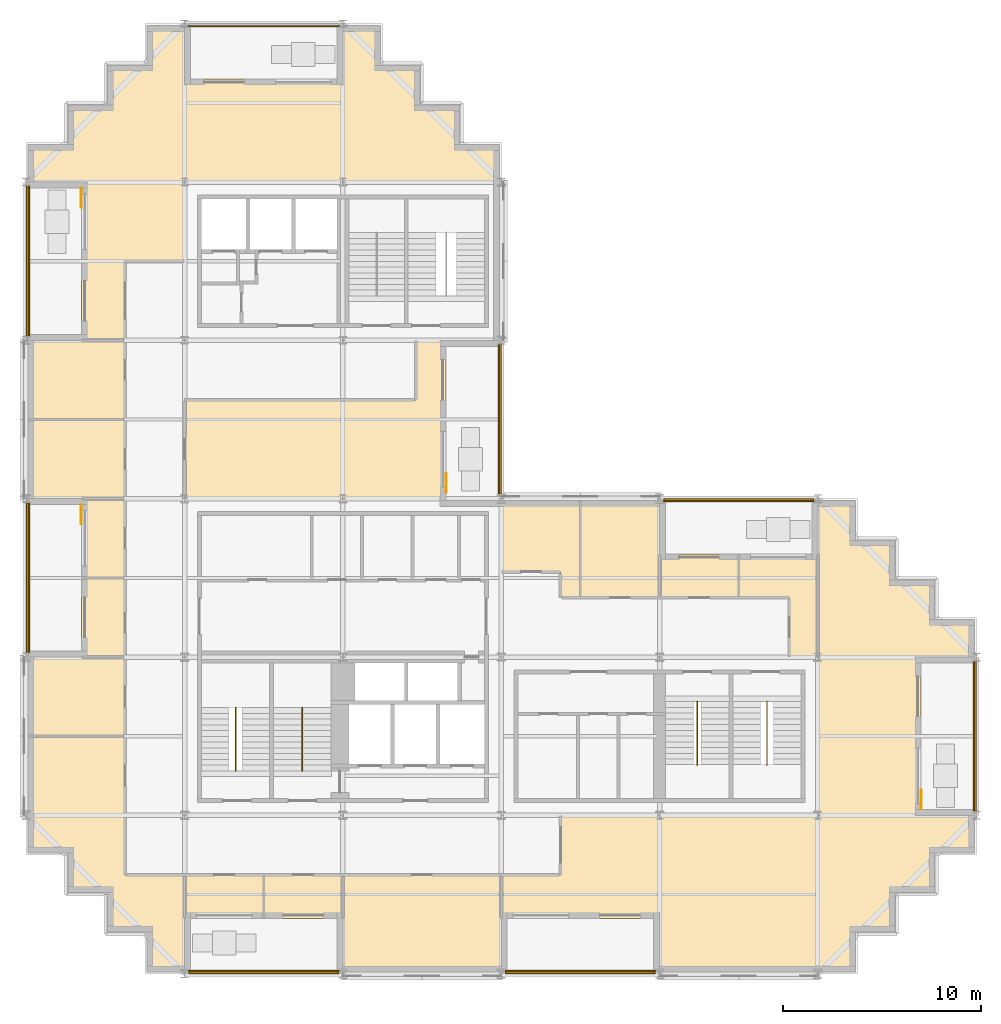
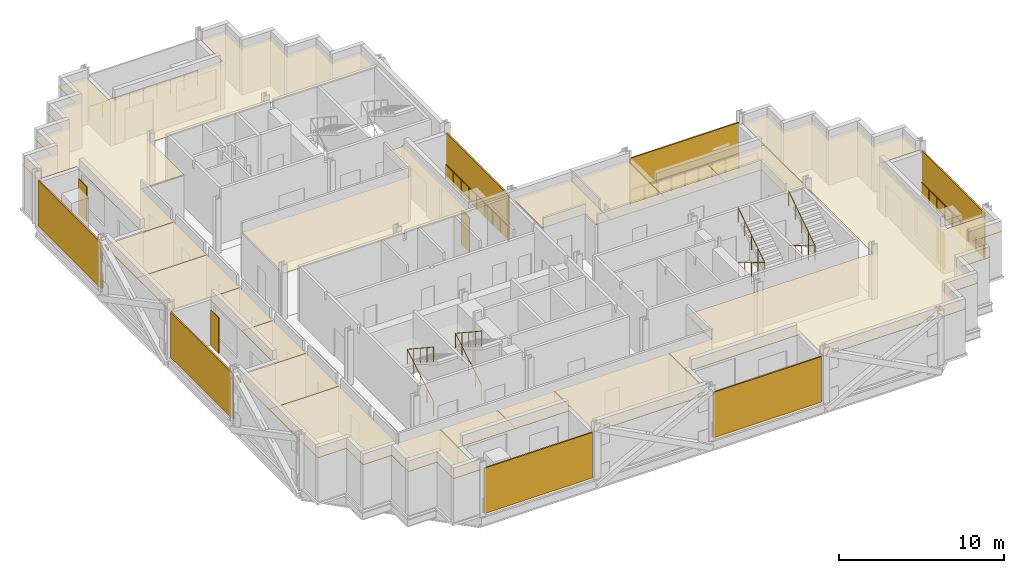
# One storey, part 10 of 12: 16 coverings, 12 railings, 11 shading devices.
"""IFC4 building model written with IfcOpenShell, lengths in metres."""

import ifcopenshell
import ifcopenshell.guid

model = None  # the IFC model being written
_history = None  # IfcOwnerHistory: only IFC2X3 demands one
_inside = {}  # id of a spatial element -> (the spatial element, [elements in it])
_under = {}  # id of a project, library or spatial element -> (it, [spatial elements below it])
_declared = {}  # id of a project -> (the project, [libraries it declares])
_typed = {}  # id of a type object -> (the type object, [elements of that type])
_made_of = {}  # id of a material, layer set ... -> (it, [elements and type objects made of it])


def new_model(schema):
    """Start an empty IFC model of exactly this schema.

    Asked for "IFC4X3", IfcOpenShell would pick the latest addendum, in which some entities
    have other attributes; the version numbers below select the first issue.
    IFC2X3 requires an IfcOwnerHistory on every rooted entity: one is made here for all.
    """
    global model, _history
    if schema == "IFC4X3":
        model = ifcopenshell.file(schema_version=(4, 3, 0, 0))
    else:
        model = ifcopenshell.file(schema=schema)
    _inside.clear()
    _under.clear()
    _declared.clear()
    _typed.clear()
    _made_of.clear()
    _history = None
    if model.schema == "IFC2X3":
        org = make("IfcOrganization", Name="unknown")
        user = make(
            "IfcPersonAndOrganization",
            ThePerson=make("IfcPerson", FamilyName="unknown"),
            TheOrganization=org,
        )
        app = make(
            "IfcApplication",
            ApplicationDeveloper=org,
            Version="unknown",
            ApplicationFullName="unknown",
            ApplicationIdentifier="unknown",
        )
        _history = make(
            "IfcOwnerHistory",
            OwningUser=user,
            OwningApplication=app,
            ChangeAction="ADDED",
            CreationDate=0,
        )
    return model


def make(cls, **values):
    """One entity of the class cls with the attributes given. An attribute that is None is left unset."""
    return model.create_entity(
        cls, **{name: value for name, value in values.items() if value is not None}
    )


def rooted(cls, **values):
    """An entity with a GlobalId (a new one), such as an element, a storey or a relation."""
    return make(cls, GlobalId=ifcopenshell.guid.new(), OwnerHistory=_history, **values)


def si_unit(unit_type, name, prefix=None):
    """IfcSIUnit, for example si_unit("LENGTHUNIT", "METRE", prefix="MILLI")."""
    return make("IfcSIUnit", UnitType=unit_type, Prefix=prefix, Name=name)


def assignment(units):
    """IfcUnitAssignment: the units of a project."""
    return None if units is None else make("IfcUnitAssignment", Units=units)


def point(xyz):
    """IfcCartesianPoint."""
    return None if xyz is None else make("IfcCartesianPoint", Coordinates=xyz)


def direction(xyz):
    """IfcDirection."""
    return None if xyz is None else make("IfcDirection", DirectionRatios=xyz)


def frame(location, z_axis=None, x_axis=None):
    """IfcAxis2Placement3D, a coordinate frame: its origin and axes. An axis left out is left unset."""
    return make(
        "IfcAxis2Placement3D",
        Location=point(location),
        Axis=direction(z_axis),
        RefDirection=direction(x_axis),
    )


def frame_2d(location, x_axis=None):
    """IfcAxis2Placement2D, a coordinate frame in the plane: its origin and x axis."""
    return make(
        "IfcAxis2Placement2D", Location=point(location), RefDirection=direction(x_axis)
    )


def origin():
    """The frame at (0, 0, 0) with its axes left unset."""
    return frame((0.0, 0.0, 0.0))


def origin_2d():
    """The frame at (0, 0) in the plane with its x axis left unset."""
    return frame_2d((0.0, 0.0))


def place(relative_to, where):
    """IfcLocalPlacement: puts the frame where relative to a parent placement (None: the world)."""
    return make(
        "IfcLocalPlacement", PlacementRelTo=relative_to, RelativePlacement=where
    )


def context(
    kind, dimensions, precision=None, world=None, true_north=None, identifier=None
):
    """IfcGeometricRepresentationContext, for example the 3D "Model" context."""
    return make(
        "IfcGeometricRepresentationContext",
        ContextIdentifier=identifier,
        ContextType=kind,
        CoordinateSpaceDimension=dimensions,
        Precision=precision,
        WorldCoordinateSystem=world,
        TrueNorth=true_north,
    )


def subcontext(parent, identifier, kind, view, scale=None):
    """IfcGeometricRepresentationSubContext, for example "Body" below "Model"."""
    return make(
        "IfcGeometricRepresentationSubContext",
        ContextIdentifier=identifier,
        ContextType=kind,
        ParentContext=parent,
        TargetScale=scale,
        TargetView=view,
    )


def project(units=None, contexts=None):
    """IfcProject with its units and contexts."""
    return rooted(
        "IfcProject",
        Name="project",
        RepresentationContexts=contexts,
        UnitsInContext=assignment(units),
    )


def spatial(cls, under=None, at=None, **own):
    """A site, building, storey or space (cls), placed at a placement, below another one or the project."""
    s = rooted(cls, ObjectPlacement=at, **own)
    if under is not None:
        _under.setdefault(under.id(), (under, []))[1].append(s)
    return s


def polyline(points):
    """IfcPolyline through the points."""
    return make("IfcPolyline", Points=[point(p) for p in points])


def profile(cls, at=None, kind="AREA", **sizes):
    """A parametric profile (cls). Its sizes go by their IFC names, for example OverallWidth=200.0."""
    return make(cls, ProfileType=kind, Position=at, **sizes)


def rectangle(**sizes):
    """IfcRectangleProfileDef."""
    return profile("IfcRectangleProfileDef", **sizes)


def circle(**sizes):
    """IfcCircleProfileDef."""
    return profile("IfcCircleProfileDef", **sizes)


def outline(outer, holes=None, kind="AREA"):
    """IfcArbitraryClosedProfileDef: a profile drawn as a closed curve; with holes, ...WithVoids."""
    if holes is None:
        return make("IfcArbitraryClosedProfileDef", ProfileType=kind, OuterCurve=outer)
    return make(
        "IfcArbitraryProfileDefWithVoids",
        ProfileType=kind,
        OuterCurve=outer,
        InnerCurves=holes,
    )


def extrude(swept, where, along, depth):
    """IfcExtrudedAreaSolid: the profile swept, set in the frame where, extruded along a direction by depth."""
    return make(
        "IfcExtrudedAreaSolid",
        SweptArea=swept,
        Position=where,
        ExtrudedDirection=direction(along),
        Depth=depth,
    )


def shape(context_of_items, identifier, shape_type, items):
    """IfcShapeRepresentation: the items that make up one representation, for example the "Body"."""
    return make(
        "IfcShapeRepresentation",
        ContextOfItems=context_of_items,
        RepresentationIdentifier=identifier,
        RepresentationType=shape_type,
        Items=items,
    )


def material(Name=None, Category=None):
    """IfcMaterial."""
    return make("IfcMaterial", Name=Name, Category=Category)


def layer(
    of_material, thickness, ventilated=None, Name=None, Category=None, Priority=None
):
    """IfcMaterialLayer: one layer of a wall or slab, of a material (None: an air gap)."""
    return make(
        "IfcMaterialLayer",
        Material=of_material,
        LayerThickness=thickness,
        IsVentilated=ventilated,
        Name=Name,
        Category=Category,
        Priority=Priority,
    )


def layer_set(layers, Name=None):
    """IfcMaterialLayerSet."""
    return make("IfcMaterialLayerSet", MaterialLayers=layers, LayerSetName=Name)


def made_of(thing, what):
    """Note that an element or type object is made of a material, layer set ...; save() writes the relation."""
    if what is not None:
        _made_of.setdefault(what.id(), (what, []))[1].append(thing)
    return thing


def type_object(cls, material=None, **own):
    """A type object (cls), such as IfcWallType, which elements share."""
    return made_of(rooted(cls, **own), material)


def element(
    cls,
    number,
    at=None,
    inside=None,
    cuts=None,
    type_object=None,
    material=None,
    context=None,
    identifier="Body",
    shape_type=None,
    held_by="IfcProductDefinitionShape",
    body=None,
    shapes=None,
    **own,
):
    """One element of the class cls, such as IfcWall. Its Tag is "e" and its number.

    at: its placement. inside: the storey or other place that contains it. cuts: it is an
    opening in that element (IfcRelVoidsElement). A single representation is given by context,
    identifier, shape_type and body (its items); several are given by shapes. held_by: the class
    of the entity that holds the representations. save() writes the other relations.
    """
    e = rooted(cls, Tag="e%d" % number, ObjectPlacement=at, **own)
    if body is not None:
        shapes = [shape(context, identifier, shape_type, body)]
    if shapes is not None:
        e.Representation = make(held_by, Representations=shapes)
    if inside is not None:
        _inside.setdefault(inside.id(), (inside, []))[1].append(e)
    if cuts is not None:
        rooted(
            "IfcRelVoidsElement", RelatingBuildingElement=cuts, RelatedOpeningElement=e
        )
    if type_object is not None:
        _typed.setdefault(type_object.id(), (type_object, []))[1].append(e)
    return made_of(e, material)


def aggregate(whole, parts):
    """IfcRelAggregates: a whole, such as a stair, and the parts it consists of."""
    return rooted("IfcRelAggregates", RelatingObject=whole, RelatedObjects=parts)


def save(model, path):
    """Write the relations noted so far, then the file.

    IfcRelAggregates (storeys below a building ...), IfcRelContainedInSpatialStructure (elements
    in a storey), IfcRelDefinesByType, IfcRelAssociatesMaterial and IfcRelDeclares: one each for
    every whole, place, type object, material and project.
    """
    for whole, parts in _under.values():
        aggregate(whole, parts)
    for where, things in _inside.values():
        rooted(
            "IfcRelContainedInSpatialStructure",
            RelatedElements=things,
            RelatingStructure=where,
        )
    for kind, things in _typed.values():
        rooted("IfcRelDefinesByType", RelatedObjects=things, RelatingType=kind)
    for what, things in _made_of.values():
        rooted("IfcRelAssociatesMaterial", RelatedObjects=things, RelatingMaterial=what)
    for by, libraries in _declared.values():
        rooted("IfcRelDeclares", RelatingContext=by, RelatedDefinitions=libraries)
    model.write(path)


model = new_model("IFC4")

# Units and contexts
model_context = context("Model", 3, precision=1e-05, world=origin(), true_north=direction((0.0, 1.0)))
body_context = subcontext(model_context, "Body", "Model", "MODEL_VIEW")
ifc_project = project(units=[si_unit("LENGTHUNIT", "METRE"), si_unit("AREAUNIT", "SQUARE_METRE"), si_unit("VOLUMEUNIT", "CUBIC_METRE"), si_unit("PLANEANGLEUNIT", "RADIAN"), si_unit("MASSUNIT", "GRAM", prefix="KILO")], contexts=[model_context])

# Site, building, storey
site_placement = place(None, origin())
site = spatial("IfcSite", under=ifc_project, at=site_placement, CompositionType="ELEMENT")
building_placement = place(site_placement, origin())
building = spatial("IfcBuilding", under=site, at=building_placement, Name="Immortelle Media Tower", CompositionType="ELEMENT")
storey_placement = place(building_placement, frame((0.0, 0.0, 132.60009765625)))
storey = spatial("IfcBuildingStorey", under=building, at=storey_placement, Name="L26", CompositionType="ELEMENT", Elevation=132.60009765625)

# Railings
ifc_material_1 = material(Name="Powder-coated aluminium fretwork panel, laminated glass backing", Category="aluminium")
railing_type_1 = type_object("IfcRailingType", Name="Fretwork balustrade 1100", PredefinedType="BALUSTRADE", material=ifc_material_1)
railing_1_placement = place(storey_placement, frame((8.20556640625, 0.139892578125, 0.0)))
element("IfcRailing", 1, at=railing_1_placement, inside=storey, type_object=railing_type_1, Name="Fretwork balustrade L26 S0", PredefinedType="BALUSTRADE", context=body_context, shape_type="SweptSolid", body=[
    extrude(circle(Radius=0.02490234375, at=origin_2d()), frame((0.0, 0.0, 1.0751953125), z_axis=(1.0, 0.0, 0.0), x_axis=(0.0, 1.0, 0.0)), (0.0, 0.0, 1.0), 7.58251953125),
    extrude(circle(Radius=0.02001953125, at=origin_2d()), origin(), (0.0, 0.0, 1.0), 1.050048828125),
    extrude(circle(Radius=0.02001953125, at=origin_2d()), frame((0.94775390625, 0.0, 0.0)), (0.0, 0.0, 1.0), 1.050048828125),
    extrude(circle(Radius=0.02001953125, at=origin_2d()), frame((1.8955078125, 0.0, 0.0)), (0.0, 0.0, 1.0), 1.050048828125),
    extrude(circle(Radius=0.02001953125, at=origin_2d()), frame((2.843505859375, 0.0, 0.0)), (0.0, 0.0, 1.0), 1.050048828125),
    extrude(circle(Radius=0.02001953125, at=origin_2d()), frame((3.791259765625, 0.0, 0.0)), (0.0, 0.0, 1.0), 1.050048828125),
    extrude(circle(Radius=0.02001953125, at=origin_2d()), frame((4.739013671875, 0.0, 0.0)), (0.0, 0.0, 1.0), 1.050048828125),
    extrude(circle(Radius=0.02001953125, at=origin_2d()), frame((5.68701171875, 0.0, 0.0)), (0.0, 0.0, 1.0), 1.050048828125),
    extrude(circle(Radius=0.02001953125, at=origin_2d()), frame((6.634765625, 0.0, 0.0)), (0.0, 0.0, 1.0), 1.050048828125),
    extrude(circle(Radius=0.02001953125, at=origin_2d()), frame((7.58251953125, 0.0, 0.0)), (0.0, 0.0, 1.0), 1.050048828125),
])
railing_2_placement = place(storey_placement, frame((24.2119140625, 0.139892578125, 0.0)))
element("IfcRailing", 2, at=railing_2_placement, inside=storey, type_object=railing_type_1, Name="Fretwork balustrade L26 S2", PredefinedType="BALUSTRADE", context=body_context, shape_type="SweptSolid", body=[
    extrude(circle(Radius=0.02490234375, at=origin_2d()), frame((0.0, 0.0, 1.0751953125), z_axis=(1.0, 0.0, 0.0), x_axis=(0.0, 1.0, 0.0)), (0.0, 0.0, 1.0), 7.576171875),
    extrude(circle(Radius=0.02001953125, at=origin_2d()), origin(), (0.0, 0.0, 1.0), 1.050048828125),
    extrude(circle(Radius=0.02001953125, at=origin_2d()), frame((0.947021484375, 0.0, 0.0)), (0.0, 0.0, 1.0), 1.050048828125),
    extrude(circle(Radius=0.02001953125, at=origin_2d()), frame((1.89404296875, 0.0, 0.0)), (0.0, 0.0, 1.0), 1.050048828125),
    extrude(circle(Radius=0.02001953125, at=origin_2d()), frame((2.841064453125, 0.0, 0.0)), (0.0, 0.0, 1.0), 1.050048828125),
    extrude(circle(Radius=0.02001953125, at=origin_2d()), frame((3.7880859375, 0.0, 0.0)), (0.0, 0.0, 1.0), 1.050048828125),
    extrude(circle(Radius=0.02001953125, at=origin_2d()), frame((4.735107421875, 0.0, 0.0)), (0.0, 0.0, 1.0), 1.050048828125),
    extrude(circle(Radius=0.02001953125, at=origin_2d()), frame((5.68212890625, 0.0, 0.0)), (0.0, 0.0, 1.0), 1.050048828125),
    extrude(circle(Radius=0.02001953125, at=origin_2d()), frame((6.629150390625, 0.0, 0.0)), (0.0, 0.0, 1.0), 1.050048828125),
    extrude(circle(Radius=0.02001953125, at=origin_2d()), frame((7.576171875, 0.0, 0.0)), (0.0, 0.0, 1.0), 1.050048828125),
])
railing_3_placement = place(storey_placement, frame((47.860107421875, 8.217041015625, 0.0)))
element("IfcRailing", 3, at=railing_3_placement, inside=storey, type_object=railing_type_1, Name="Fretwork balustrade L26 E0", PredefinedType="BALUSTRADE", context=body_context, shape_type="SweptSolid", body=[
    extrude(circle(Radius=0.02490234375, at=origin_2d()), frame((0.0, 0.0, 1.0751953125), z_axis=(0.0, 1.0, 0.0), x_axis=(-1.0, 0.0, 0.0)), (0.0, 0.0, 1.0), 7.56591796875),
    extrude(circle(Radius=0.02001953125, at=origin_2d()), origin(), (0.0, 0.0, 1.0), 1.050048828125),
    extrude(circle(Radius=0.02001953125, at=origin_2d()), frame((0.0, 0.94580078125, 0.0)), (0.0, 0.0, 1.0), 1.050048828125),
    extrude(circle(Radius=0.02001953125, at=origin_2d()), frame((0.0, 1.8916015625, 0.0)), (0.0, 0.0, 1.0), 1.050048828125),
    extrude(circle(Radius=0.02001953125, at=origin_2d()), frame((0.0, 2.837158203125, 0.0)), (0.0, 0.0, 1.0), 1.050048828125),
    extrude(circle(Radius=0.02001953125, at=origin_2d()), frame((0.0, 3.782958984375, 0.0)), (0.0, 0.0, 1.0), 1.050048828125),
    extrude(circle(Radius=0.02001953125, at=origin_2d()), frame((0.0, 4.728759765625, 0.0)), (0.0, 0.0, 1.0), 1.050048828125),
    extrude(circle(Radius=0.02001953125, at=origin_2d()), frame((0.0, 5.67431640625, 0.0)), (0.0, 0.0, 1.0), 1.050048828125),
    extrude(circle(Radius=0.02001953125, at=origin_2d()), frame((0.0, 6.6201171875, 0.0)), (0.0, 0.0, 1.0), 1.050048828125),
    extrude(circle(Radius=0.02001953125, at=origin_2d()), frame((0.0, 7.56591796875, 0.0)), (0.0, 0.0, 1.0), 1.050048828125),
])
railing_4_placement = place(storey_placement, frame((39.79443359375, 23.860107421875, 0.0)))
element("IfcRailing", 4, at=railing_4_placement, inside=storey, type_object=railing_type_1, Name="Fretwork balustrade L26 N0", PredefinedType="BALUSTRADE", context=body_context, shape_type="SweptSolid", body=[
    extrude(circle(Radius=0.02490234375, at=origin_2d()), frame((0.0, 0.0, 1.0751953125), z_axis=(-1.0, 0.0, 0.0), x_axis=(0.0, -1.0, 0.0)), (0.0, 0.0, 1.0), 7.58251953125),
    extrude(circle(Radius=0.02001953125, at=origin_2d()), origin(), (0.0, 0.0, 1.0), 1.050048828125),
    extrude(circle(Radius=0.02001953125, at=origin_2d()), frame((-0.94775390625, 0.0, 0.0)), (0.0, 0.0, 1.0), 1.050048828125),
    extrude(circle(Radius=0.02001953125, at=origin_2d()), frame((-1.8955078125, 0.0, 0.0)), (0.0, 0.0, 1.0), 1.050048828125),
    extrude(circle(Radius=0.02001953125, at=origin_2d()), frame((-2.843505859375, 0.0, 0.0)), (0.0, 0.0, 1.0), 1.050048828125),
    extrude(circle(Radius=0.02001953125, at=origin_2d()), frame((-3.791259765625, 0.0, 0.0)), (0.0, 0.0, 1.0), 1.050048828125),
    extrude(circle(Radius=0.02001953125, at=origin_2d()), frame((-4.739013671875, 0.0, 0.0)), (0.0, 0.0, 1.0), 1.050048828125),
    extrude(circle(Radius=0.02001953125, at=origin_2d()), frame((-5.68701171875, 0.0, 0.0)), (0.0, 0.0, 1.0), 1.050048828125),
    extrude(circle(Radius=0.02001953125, at=origin_2d()), frame((-6.634765625, 0.0, 0.0)), (0.0, 0.0, 1.0), 1.050048828125),
    extrude(circle(Radius=0.02001953125, at=origin_2d()), frame((-7.58251953125, 0.0, 0.0)), (0.0, 0.0, 1.0), 1.050048828125),
])
railing_5_placement = place(storey_placement, frame((23.860107421875, 24.237548828125, 0.0)))
element("IfcRailing", 5, at=railing_5_placement, inside=storey, type_object=railing_type_1, Name="Fretwork balustrade L26 E0", PredefinedType="BALUSTRADE", context=body_context, shape_type="SweptSolid", body=[
    extrude(circle(Radius=0.02490234375, at=origin_2d()), frame((0.0, 0.0, 1.0751953125), z_axis=(0.0, 1.0, 0.0), x_axis=(-1.0, 0.0, 0.0)), (0.0, 0.0, 1.0), 7.56298828125),
    extrude(circle(Radius=0.02001953125, at=origin_2d()), origin(), (0.0, 0.0, 1.0), 1.050048828125),
    extrude(circle(Radius=0.02001953125, at=origin_2d()), frame((0.0, 0.9453125, 0.0)), (0.0, 0.0, 1.0), 1.050048828125),
    extrude(circle(Radius=0.02001953125, at=origin_2d()), frame((0.0, 1.890625, 0.0)), (0.0, 0.0, 1.0), 1.050048828125),
    extrude(circle(Radius=0.02001953125, at=origin_2d()), frame((0.0, 2.836181640625, 0.0)), (0.0, 0.0, 1.0), 1.050048828125),
    extrude(circle(Radius=0.02001953125, at=origin_2d()), frame((0.0, 3.781494140625, 0.0)), (0.0, 0.0, 1.0), 1.050048828125),
    extrude(circle(Radius=0.02001953125, at=origin_2d()), frame((0.0, 4.726806640625, 0.0)), (0.0, 0.0, 1.0), 1.050048828125),
    extrude(circle(Radius=0.02001953125, at=origin_2d()), frame((0.0, 5.67236328125, 0.0)), (0.0, 0.0, 1.0), 1.050048828125),
    extrude(circle(Radius=0.02001953125, at=origin_2d()), frame((0.0, 6.61767578125, 0.0)), (0.0, 0.0, 1.0), 1.050048828125),
    extrude(circle(Radius=0.02001953125, at=origin_2d()), frame((0.0, 7.56298828125, 0.0)), (0.0, 0.0, 1.0), 1.050048828125),
])
railing_6_placement = place(storey_placement, frame((15.802978515625, 47.860107421875, 0.0)))
element("IfcRailing", 6, at=railing_6_placement, inside=storey, type_object=railing_type_1, Name="Fretwork balustrade L26 N0", PredefinedType="BALUSTRADE", context=body_context, shape_type="SweptSolid", body=[
    extrude(circle(Radius=0.02490234375, at=origin_2d()), frame((0.0, 0.0, 1.0751953125), z_axis=(-1.0, 0.0, 0.0), x_axis=(0.0, -1.0, 0.0)), (0.0, 0.0, 1.0), 7.60595703125),
    extrude(circle(Radius=0.02001953125, at=origin_2d()), origin(), (0.0, 0.0, 1.0), 1.050048828125),
    extrude(circle(Radius=0.02001953125, at=origin_2d()), frame((-0.95068359375, 0.0, 0.0)), (0.0, 0.0, 1.0), 1.050048828125),
    extrude(circle(Radius=0.02001953125, at=origin_2d()), frame((-1.9013671875, 0.0, 0.0)), (0.0, 0.0, 1.0), 1.050048828125),
    extrude(circle(Radius=0.02001953125, at=origin_2d()), frame((-2.852294921875, 0.0, 0.0)), (0.0, 0.0, 1.0), 1.050048828125),
    extrude(circle(Radius=0.02001953125, at=origin_2d()), frame((-3.802978515625, 0.0, 0.0)), (0.0, 0.0, 1.0), 1.050048828125),
    extrude(circle(Radius=0.02001953125, at=origin_2d()), frame((-4.753662109375, 0.0, 0.0)), (0.0, 0.0, 1.0), 1.050048828125),
    extrude(circle(Radius=0.02001953125, at=origin_2d()), frame((-5.70458984375, 0.0, 0.0)), (0.0, 0.0, 1.0), 1.050048828125),
    extrude(circle(Radius=0.02001953125, at=origin_2d()), frame((-6.6552734375, 0.0, 0.0)), (0.0, 0.0, 1.0), 1.050048828125),
    extrude(circle(Radius=0.02001953125, at=origin_2d()), frame((-7.60595703125, 0.0, 0.0)), (0.0, 0.0, 1.0), 1.050048828125),
])
railing_7_placement = place(storey_placement, frame((0.139892578125, 39.81201171875, 0.0)))
element("IfcRailing", 7, at=railing_7_placement, inside=storey, type_object=railing_type_1, Name="Fretwork balustrade L26 W0", PredefinedType="BALUSTRADE", context=body_context, shape_type="SweptSolid", body=[
    extrude(circle(Radius=0.02490234375, at=origin_2d()), frame((0.0, 0.0, 1.0751953125), z_axis=(0.0, -1.0, 0.0), x_axis=(1.0, 0.0, 0.0)), (0.0, 0.0, 1.0), 7.612548828125),
    extrude(circle(Radius=0.02001953125, at=origin_2d()), origin(), (0.0, 0.0, 1.0), 1.050048828125),
    extrude(circle(Radius=0.02001953125, at=origin_2d()), frame((0.0, -0.95166015625, 0.0)), (0.0, 0.0, 1.0), 1.050048828125),
    extrude(circle(Radius=0.02001953125, at=origin_2d()), frame((0.0, -1.903076171875, 0.0)), (0.0, 0.0, 1.0), 1.050048828125),
    extrude(circle(Radius=0.02001953125, at=origin_2d()), frame((0.0, -2.854736328125, 0.0)), (0.0, 0.0, 1.0), 1.050048828125),
    extrude(circle(Radius=0.02001953125, at=origin_2d()), frame((0.0, -3.80615234375, 0.0)), (0.0, 0.0, 1.0), 1.050048828125),
    extrude(circle(Radius=0.02001953125, at=origin_2d()), frame((0.0, -4.7578125, 0.0)), (0.0, 0.0, 1.0), 1.050048828125),
    extrude(circle(Radius=0.02001953125, at=origin_2d()), frame((0.0, -5.70947265625, 0.0)), (0.0, 0.0, 1.0), 1.050048828125),
    extrude(circle(Radius=0.02001953125, at=origin_2d()), frame((0.0, -6.660888671875, 0.0)), (0.0, 0.0, 1.0), 1.050048828125),
    extrude(circle(Radius=0.02001953125, at=origin_2d()), frame((0.0, -7.612548828125, 0.0)), (0.0, 0.0, 1.0), 1.050048828125),
])
railing_8_placement = place(storey_placement, frame((0.139892578125, 23.800537109375, 0.0)))
element("IfcRailing", 8, at=railing_8_placement, inside=storey, type_object=railing_type_1, Name="Fretwork balustrade L26 W2", PredefinedType="BALUSTRADE", context=body_context, shape_type="SweptSolid", body=[
    extrude(circle(Radius=0.02490234375, at=origin_2d()), frame((0.0, 0.0, 1.0751953125), z_axis=(0.0, -1.0, 0.0), x_axis=(1.0, 0.0, 0.0)), (0.0, 0.0, 1.0), 7.56298828125),
    extrude(circle(Radius=0.02001953125, at=origin_2d()), origin(), (0.0, 0.0, 1.0), 1.050048828125),
    extrude(circle(Radius=0.02001953125, at=origin_2d()), frame((0.0, -0.9453125, 0.0)), (0.0, 0.0, 1.0), 1.050048828125),
    extrude(circle(Radius=0.02001953125, at=origin_2d()), frame((0.0, -1.890625, 0.0)), (0.0, 0.0, 1.0), 1.050048828125),
    extrude(circle(Radius=0.02001953125, at=origin_2d()), frame((0.0, -2.836181640625, 0.0)), (0.0, 0.0, 1.0), 1.050048828125),
    extrude(circle(Radius=0.02001953125, at=origin_2d()), frame((0.0, -3.781494140625, 0.0)), (0.0, 0.0, 1.0), 1.050048828125),
    extrude(circle(Radius=0.02001953125, at=origin_2d()), frame((0.0, -4.726806640625, 0.0)), (0.0, 0.0, 1.0), 1.050048828125),
    extrude(circle(Radius=0.02001953125, at=origin_2d()), frame((0.0, -5.67236328125, 0.0)), (0.0, 0.0, 1.0), 1.050048828125),
    extrude(circle(Radius=0.02001953125, at=origin_2d()), frame((0.0, -6.61767578125, 0.0)), (0.0, 0.0, 1.0), 1.050048828125),
    extrude(circle(Radius=0.02001953125, at=origin_2d()), frame((0.0, -7.56298828125, 0.0)), (0.0, 0.0, 1.0), 1.050048828125),
])

# Shading devices
ifc_material_2 = material(Name="Pale aluminium louvre blades", Category="aluminium")
ifc_layer_1 = layer(ifc_material_2, 0.10009765625)
ifc_layer_set_1 = layer_set([ifc_layer_1], Name="Pale aluminium louvre blades")
shading_device_type_1 = type_object("IfcShadingDeviceType", Name="Jalousie screen 100", PredefinedType="JALOUSIE", material=ifc_layer_set_1)
shading_device_1_placement = place(storey_placement, frame((11.996826171875, 0.050048828125, 0.0), z_axis=(0.0, 0.0, 1.0), x_axis=(1.0, 0.0, 0.0)))
element("IfcShadingDevice", 9, at=shading_device_1_placement, inside=storey, type_object=shading_device_type_1, Name="Jalousie screen L26 S0", PredefinedType="JALOUSIE", context=body_context, shape_type="SweptSolid", body=[
    extrude(rectangle(XDim=7.58251953125, YDim=0.10009765625, at=origin_2d()), origin(), (0.0, 0.0, 1.0), 3.35693359375),
])
shading_device_2_placement = place(storey_placement, frame((28.0, 0.050048828125, 0.0), z_axis=(0.0, 0.0, 1.0), x_axis=(1.0, 0.0, 0.0)))
element("IfcShadingDevice", 10, at=shading_device_2_placement, inside=storey, type_object=shading_device_type_1, Name="Jalousie screen L26 S2", PredefinedType="JALOUSIE", context=body_context, shape_type="SweptSolid", body=[
    extrude(rectangle(XDim=7.575927734375, YDim=0.10009765625, at=origin_2d()), origin(), (0.0, 0.0, 1.0), 3.35693359375),
])
shading_device_3_placement = place(storey_placement, frame((47.949951171875, 12.0, 0.0), z_axis=(0.0, 0.0, 1.0), x_axis=(0.0, 1.0, 0.0)))
element("IfcShadingDevice", 11, at=shading_device_3_placement, inside=storey, type_object=shading_device_type_1, Name="Jalousie screen L26 E0", PredefinedType="JALOUSIE", context=body_context, shape_type="SweptSolid", body=[
    extrude(rectangle(XDim=7.56591796875, YDim=0.10009765625, at=origin_2d()), origin(), (0.0, 0.0, 1.0), 3.35693359375),
])
shading_device_4_placement = place(storey_placement, frame((36.003173828125, 23.949951171875, 0.0), z_axis=(0.0, 0.0, 1.0), x_axis=(-1.0, 0.0, 0.0)))
element("IfcShadingDevice", 12, at=shading_device_4_placement, inside=storey, type_object=shading_device_type_1, Name="Jalousie screen L26 N0", PredefinedType="JALOUSIE", context=body_context, shape_type="SweptSolid", body=[
    extrude(rectangle(XDim=7.58251953125, YDim=0.10009765625, at=origin_2d()), origin(), (0.0, 0.0, 1.0), 3.35693359375),
])
shading_device_5_placement = place(storey_placement, frame((23.949951171875, 28.01904296875, 0.0), z_axis=(0.0, 0.0, 1.0), x_axis=(0.0, 1.0, 0.0)))
element("IfcShadingDevice", 13, at=shading_device_5_placement, inside=storey, type_object=shading_device_type_1, Name="Jalousie screen L26 E0", PredefinedType="JALOUSIE", context=body_context, shape_type="SweptSolid", body=[
    extrude(rectangle(XDim=7.56298828125, YDim=0.10009765625, at=origin_2d()), origin(), (0.0, 0.0, 1.0), 3.35693359375),
])
shading_device_6_placement = place(storey_placement, frame((0.050048828125, 36.005859375, 0.0), z_axis=(0.0, 0.0, 1.0), x_axis=(0.0, -1.0, 0.0)))
element("IfcShadingDevice", 14, at=shading_device_6_placement, inside=storey, type_object=shading_device_type_1, Name="Jalousie screen L26 W0", PredefinedType="JALOUSIE", context=body_context, shape_type="SweptSolid", body=[
    extrude(rectangle(XDim=7.612548828125, YDim=0.10009765625, at=origin_2d()), origin(), (0.0, 0.0, 1.0), 3.35693359375),
])
shading_device_7_placement = place(storey_placement, frame((0.050048828125, 20.01904296875, 0.0), z_axis=(0.0, 0.0, 1.0), x_axis=(0.0, -1.0, 0.0)))
element("IfcShadingDevice", 15, at=shading_device_7_placement, inside=storey, type_object=shading_device_type_1, Name="Jalousie screen L26 W2", PredefinedType="JALOUSIE", context=body_context, shape_type="SweptSolid", body=[
    extrude(rectangle(XDim=7.56298828125, YDim=0.10009765625, at=origin_2d()), origin(), (0.0, 0.0, 1.0), 3.35693359375),
])
ifc_material_3 = material(Name="Pale aluminium louvre blades in a folding frame", Category="aluminium")
ifc_layer_2 = layer(ifc_material_3, 0.050048828125)
ifc_layer_set_2 = layer_set([ifc_layer_2], Name="Pale aluminium louvre blades in a folding frame")
shading_device_type_2 = type_object("IfcShadingDeviceType", Name="Louvred loggia shutter", PredefinedType="SHUTTER", material=ifc_layer_set_2)
for number, where, z_axis, x_axis, name in (
    (16, (45.22509765625, 8.800048828125, -0.000244140625), (0.0, 0.0, 1.0), (0.0, 1.0, 0.0), "Loggia shutter L26 E0"),
    (17, (21.22509765625, 24.800048828125, -0.000244140625), (0.0, 0.0, 1.0), (0.0, 1.0, 0.0), "Loggia shutter L26 E0"),
    (18, (2.77490234375, 39.199951171875, -0.000244140625), (0.0, 0.0, 1.0), (0.0, -1.0, 0.0), "Loggia shutter L26 W0"),
    (19, (2.77490234375, 23.199951171875, -0.000244140625), (0.0, 0.0, 1.0), (0.0, -1.0, 0.0), "Loggia shutter L26 W2"),
):
    element("IfcShadingDevice", number, at=place(storey_placement, frame(where, z_axis=z_axis, x_axis=x_axis)), inside=storey, type_object=shading_device_type_2, Name=name, PredefinedType="SHUTTER", context=body_context, shape_type="SweptSolid", body=[
        extrude(rectangle(XDim=1.0, YDim=0.050048828125, at=origin_2d()), origin(), (0.0, 0.0, 1.0), 2.60009765625),
    ])

# Railings
ifc_material_4 = material(Name="Stainless steel AISI 316", Category="steel")
railing_type_2 = type_object("IfcRailingType", Name="Stair guard 1100", PredefinedType="GUARDRAIL", material=ifc_material_4)
for number, where, name in (
    (20, (10.574951171875, 10.25, 0.1748046875), "Stair guard SW1"),
    (21, (13.949951171875, 10.25, 0.1748046875), "Stair guard SW2"),
):
    element("IfcRailing", number, at=place(storey_placement, frame(where)), inside=storey, type_object=railing_type_2, Name=name, PredefinedType="GUARDRAIL", context=body_context, shape_type="SweptSolid", body=[
        extrude(circle(Radius=0.02392578125, at=origin_2d()), frame((0.0, 0.0, 1.076171875), z_axis=(0.0, 0.856177665481, 0.516681531633), x_axis=(-1.0, 0.0, 0.0)), (0.0, 0.0, 1.0), 3.725830078125),
        extrude(circle(Radius=0.02392578125, at=origin_2d()), frame((0.0, 3.18994140625, 3.0009765625), z_axis=(0.0, -0.835242474824, 0.549881812983), x_axis=(1.0, 0.0, 0.0)), (0.0, 0.0, 1.0), 3.819091796875),
        extrude(circle(Radius=0.02099609375, at=origin_2d()), origin(), (0.0, 0.0, 1.0), 1.052001953125),
        extrude(circle(Radius=0.02099609375, at=origin_2d()), frame((0.0, 0.79736328125, 0.481201171875)), (0.0, 0.0, 1.0), 1.052001953125),
        extrude(circle(Radius=0.02099609375, at=origin_2d()), frame((0.0, 1.594970703125, 0.96240234375)), (0.0, 0.0, 1.0), 1.052001953125),
        extrude(circle(Radius=0.02099609375, at=origin_2d()), frame((0.0, 2.392578125, 1.44384765625)), (0.0, 0.0, 1.0), 1.052001953125),
        extrude(circle(Radius=0.02099609375, at=origin_2d()), frame((0.0, 3.18994140625, 1.925048828125)), (0.0, 0.0, 1.0), 1.052001953125),
        extrude(circle(Radius=0.02099609375, at=origin_2d()), frame((0.0, 2.392578125, 2.4501953125)), (0.0, 0.0, 1.0), 1.052001953125),
        extrude(circle(Radius=0.02099609375, at=origin_2d()), frame((0.0, 1.594970703125, 2.97509765625)), (0.0, 0.0, 1.0), 1.052001953125),
        extrude(circle(Radius=0.02099609375, at=origin_2d()), frame((0.0, 0.79736328125, 3.5)), (0.0, 0.0, 1.0), 1.052001953125),
        extrude(circle(Radius=0.02099609375, at=origin_2d()), frame((0.0, 0.0, 4.025146484375)), (0.0, 0.0, 1.0), 1.052001953125),
    ])
for number, where, name in (
    (22, (33.89990234375, 13.75, 0.1748046875), "Stair guard SE1"),
    (23, (37.425048828125, 13.75, 0.1748046875), "Stair guard SE2"),
):
    element("IfcRailing", number, at=place(storey_placement, frame(where)), inside=storey, type_object=railing_type_2, Name=name, PredefinedType="GUARDRAIL", context=body_context, shape_type="SweptSolid", body=[
        extrude(circle(Radius=0.02392578125, at=origin_2d()), frame((0.0, 0.0, 1.076171875), z_axis=(0.0, -0.856177665481, 0.516681531633), x_axis=(1.0, 0.0, 0.0)), (0.0, 0.0, 1.0), 3.725830078125),
        extrude(circle(Radius=0.02392578125, at=origin_2d()), frame((0.0, -3.18994140625, 3.0009765625), z_axis=(0.0, 0.835242474824, 0.549881812983), x_axis=(-1.0, 0.0, 0.0)), (0.0, 0.0, 1.0), 3.819091796875),
        extrude(circle(Radius=0.02099609375, at=origin_2d()), origin(), (0.0, 0.0, 1.0), 1.052001953125),
        extrude(circle(Radius=0.02099609375, at=origin_2d()), frame((0.0, -0.79736328125, 0.481201171875)), (0.0, 0.0, 1.0), 1.052001953125),
        extrude(circle(Radius=0.02099609375, at=origin_2d()), frame((0.0, -1.594970703125, 0.96240234375)), (0.0, 0.0, 1.0), 1.052001953125),
        extrude(circle(Radius=0.02099609375, at=origin_2d()), frame((0.0, -2.392578125, 1.44384765625)), (0.0, 0.0, 1.0), 1.052001953125),
        extrude(circle(Radius=0.02099609375, at=origin_2d()), frame((0.0, -3.18994140625, 1.925048828125)), (0.0, 0.0, 1.0), 1.052001953125),
        extrude(circle(Radius=0.02099609375, at=origin_2d()), frame((0.0, -2.392578125, 2.4501953125)), (0.0, 0.0, 1.0), 1.052001953125),
        extrude(circle(Radius=0.02099609375, at=origin_2d()), frame((0.0, -1.594970703125, 2.97509765625)), (0.0, 0.0, 1.0), 1.052001953125),
        extrude(circle(Radius=0.02099609375, at=origin_2d()), frame((0.0, -0.79736328125, 3.5)), (0.0, 0.0, 1.0), 1.052001953125),
        extrude(circle(Radius=0.02099609375, at=origin_2d()), frame((0.0, 0.0, 4.025146484375)), (0.0, 0.0, 1.0), 1.052001953125),
    ])

# Coverings
ifc_material_5 = material(Name="Mineral fibre tile ceiling")
ifc_layer_3 = layer(ifc_material_5, 0.050048828125)
ifc_layer_set_3 = layer_set([ifc_layer_3], Name="Mineral fibre tile ceiling")
covering_type = type_object("IfcCoveringType", Name="Suspended ceiling 50", PredefinedType="CEILING", material=ifc_layer_set_3)
covering_1_placement = place(storey_placement, frame((0.0, 0.0, 3.23779296875)))
element("IfcCovering", 24, at=covering_1_placement, inside=storey, type_object=covering_type, Name="Ceiling L26-001", PredefinedType="CEILING", context=body_context, shape_type="SweptSolid", body=[
    extrude(outline(polyline([(16.0, 0.10009765625), (16.0, 2.800048828125), (16.0, 5.0), (24.0, 5.0), (24.0, 2.800048828125), (24.0, 0.10009765625), (16.0, 0.10009765625)])), origin(), (0.0, 0.0, 1.0), 0.050048828125),
])
covering_2_placement = place(storey_placement, frame((0.0, 0.0, 3.23779296875)))
element("IfcCovering", 25, at=covering_2_placement, inside=storey, type_object=covering_type, Name="Ceiling L26-002", PredefinedType="CEILING", context=body_context, shape_type="SweptSolid", body=[
    extrude(outline(polyline([(8.0, 5.0), (12.0, 5.0), (12.0, 2.800048828125), (8.0, 2.800048828125), (8.0, 5.0)])), origin(), (0.0, 0.0, 1.0), 0.050048828125),
])
covering_3_placement = place(storey_placement, frame((0.0, 0.0, 3.23779296875)))
element("IfcCovering", 26, at=covering_3_placement, inside=storey, type_object=covering_type, Name="Ceiling L26-003", PredefinedType="CEILING", context=body_context, shape_type="SweptSolid", body=[
    extrude(outline(polyline([(16.0, 5.0), (16.0, 2.800048828125), (12.0, 2.800048828125), (12.0, 5.0), (16.0, 5.0)])), origin(), (0.0, 0.0, 1.0), 0.050048828125),
])
covering_4_placement = place(storey_placement, frame((0.0, 0.0, 3.23779296875)))
element("IfcCovering", 27, at=covering_4_placement, inside=storey, type_object=covering_type, Name="Ceiling L26-004", PredefinedType="CEILING", context=body_context, shape_type="SweptSolid", body=[
    extrude(outline(polyline([(27.0, 5.0), (27.0, 8.0), (32.0, 8.0), (40.0, 8.0), (40.0, 16.0), (40.0, 21.199951171875), (40.0, 23.89990234375), (41.89990234375, 23.89990234375), (41.89990234375, 21.89990234375), (43.89990234375, 21.89990234375), (43.89990234375, 19.89990234375), (45.89990234375, 19.89990234375), (45.89990234375, 17.89990234375), (47.89990234375, 17.89990234375), (47.89990234375, 16.0), (45.199951171875, 16.0), (45.199951171875, 8.0), (47.89990234375, 8.0), (47.89990234375, 6.10009765625), (45.89990234375, 6.10009765625), (45.89990234375, 4.10009765625), (43.89990234375, 4.10009765625), (43.89990234375, 2.10009765625), (41.89990234375, 2.10009765625), (41.89990234375, 0.10009765625), (40.0, 0.10009765625), (32.0, 0.10009765625), (32.0, 2.800048828125), (24.0, 2.800048828125), (24.0, 5.0), (27.0, 5.0)])), origin(), (0.0, 0.0, 1.0), 0.050048828125),
])
covering_5_placement = place(storey_placement, frame((0.0, 0.0, 3.23779296875)))
element("IfcCovering", 28, at=covering_5_placement, inside=storey, type_object=covering_type, Name="Ceiling L26-005", PredefinedType="CEILING", context=body_context, shape_type="SweptSolid", body=[
    extrude(outline(polyline([(4.10009765625, 2.10009765625), (4.10009765625, 4.10009765625), (2.10009765625, 4.10009765625), (2.10009765625, 6.10009765625), (0.10009765625, 6.10009765625), (0.10009765625, 8.0), (0.10009765625, 12.0), (5.0, 12.0), (5.0, 8.0), (5.0, 5.0), (8.0, 5.0), (8.0, 2.800048828125), (8.0, 0.10009765625), (6.10009765625, 0.10009765625), (6.10009765625, 2.10009765625), (4.10009765625, 2.10009765625)])), origin(), (0.0, 0.0, 1.0), 0.050048828125),
])
covering_6_placement = place(storey_placement, frame((0.0, 0.0, 3.23779296875)))
element("IfcCovering", 29, at=covering_6_placement, inside=storey, type_object=covering_type, Name="Ceiling L26-006", PredefinedType="CEILING", context=body_context, shape_type="SweptSolid", body=[
    extrude(outline(polyline([(0.10009765625, 16.0), (2.800048828125, 16.0), (5.0, 16.0), (5.0, 12.0), (0.10009765625, 12.0), (0.10009765625, 16.0)])), origin(), (0.0, 0.0, 1.0), 0.050048828125),
])
covering_7_placement = place(storey_placement, frame((0.0, 0.0, 3.23779296875)))
element("IfcCovering", 30, at=covering_7_placement, inside=storey, type_object=covering_type, Name="Ceiling L26-007", PredefinedType="CEILING", context=body_context, shape_type="SweptSolid", body=[
    extrude(outline(polyline([(32.0, 19.0), (32.0, 21.199951171875), (36.0, 21.199951171875), (36.0, 19.0), (32.0, 19.0)])), origin(), (0.0, 0.0, 1.0), 0.050048828125),
])
covering_8_placement = place(storey_placement, frame((0.0, 0.0, 3.23779296875)))
element("IfcCovering", 31, at=covering_8_placement, inside=storey, type_object=covering_type, Name="Ceiling L26-008", PredefinedType="CEILING", context=body_context, shape_type="SweptSolid", body=[
    extrude(outline(polyline([(38.550048828125, 19.0), (36.0, 19.0), (36.0, 21.199951171875), (40.0, 21.199951171875), (40.0, 16.0), (38.550048828125, 16.0), (38.550048828125, 19.0)])), origin(), (0.0, 0.0, 1.0), 0.050048828125),
])
covering_9_placement = place(storey_placement, frame((0.0, 0.0, 3.23779296875)))
element("IfcCovering", 32, at=covering_9_placement, inside=storey, type_object=covering_type, Name="Ceiling L26-009", PredefinedType="CEILING", context=body_context, shape_type="SweptSolid", body=[
    extrude(outline(polyline([(5.0, 16.0), (2.800048828125, 16.0), (2.800048828125, 20.0), (5.0, 20.0), (5.0, 19.449951171875), (5.0, 16.0)])), origin(), (0.0, 0.0, 1.0), 0.050048828125),
])
covering_10_placement = place(storey_placement, frame((0.0, 0.0, 3.23779296875)))
element("IfcCovering", 33, at=covering_10_placement, inside=storey, type_object=covering_type, Name="Ceiling L26-010", PredefinedType="CEILING", context=body_context, shape_type="SweptSolid", body=[
    extrude(outline(polyline([(2.800048828125, 24.0), (5.0, 24.0), (5.0, 20.0), (2.800048828125, 20.0), (2.800048828125, 24.0)])), origin(), (0.0, 0.0, 1.0), 0.050048828125),
])
covering_11_placement = place(storey_placement, frame((0.0, 0.0, 3.23779296875)))
element("IfcCovering", 34, at=covering_11_placement, inside=storey, type_object=covering_type, Name="Ceiling L26-011", PredefinedType="CEILING", context=body_context, shape_type="SweptSolid", body=[
    extrude(outline(polyline([(27.0, 20.300048828125), (24.0, 20.300048828125), (24.0, 23.89990234375), (28.0, 23.89990234375), (28.0, 19.0), (27.0, 19.0), (27.0, 20.300048828125)])), origin(), (0.0, 0.0, 1.0), 0.050048828125),
])
covering_12_placement = place(storey_placement, frame((0.0, 0.0, 3.23779296875)))
element("IfcCovering", 35, at=covering_12_placement, inside=storey, type_object=covering_type, Name="Ceiling L26-012", PredefinedType="CEILING", context=body_context, shape_type="SweptSolid", body=[
    extrude(outline(polyline([(32.0, 23.89990234375), (32.0, 21.199951171875), (32.0, 19.0), (28.0, 19.0), (28.0, 23.89990234375), (32.0, 23.89990234375)])), origin(), (0.0, 0.0, 1.0), 0.050048828125),
])
covering_13_placement = place(storey_placement, frame((0.0, 0.0, 3.23779296875)))
element("IfcCovering", 36, at=covering_13_placement, inside=storey, type_object=covering_type, Name="Ceiling L26-013", PredefinedType="CEILING", context=body_context, shape_type="SweptSolid", body=[
    extrude(outline(polyline([(8.0, 29.0), (12.199951171875, 29.0), (12.39990234375, 29.0), (16.0, 29.0), (19.699951171875, 29.0), (19.699951171875, 32.0), (21.199951171875, 32.0), (21.199951171875, 24.0), (16.0, 24.0), (8.0, 24.0), (8.0, 29.0)])), origin(), (0.0, 0.0, 1.0), 0.050048828125),
])
covering_14_placement = place(storey_placement, frame((0.0, 0.0, 3.23779296875)))
element("IfcCovering", 37, at=covering_14_placement, inside=storey, type_object=covering_type, Name="Ceiling L26-014", PredefinedType="CEILING", context=body_context, shape_type="SweptSolid", body=[
    extrude(outline(polyline([(5.0, 24.0), (2.800048828125, 24.0), (0.10009765625, 24.0), (0.10009765625, 28.0), (5.0, 28.0), (5.0, 24.0)])), origin(), (0.0, 0.0, 1.0), 0.050048828125),
])
covering_15_placement = place(storey_placement, frame((0.0, 0.0, 3.23779296875)))
element("IfcCovering", 38, at=covering_15_placement, inside=storey, type_object=covering_type, Name="Ceiling L26-015", PredefinedType="CEILING", context=body_context, shape_type="SweptSolid", body=[
    extrude(outline(polyline([(5.0, 28.0), (0.10009765625, 28.0), (0.10009765625, 32.0), (2.800048828125, 32.0), (5.0, 32.0), (5.0, 29.0), (5.0, 28.0)])), origin(), (0.0, 0.0, 1.0), 0.050048828125),
])
covering_16_placement = place(storey_placement, frame((0.0, 0.0, 3.23779296875)))
element("IfcCovering", 39, at=covering_16_placement, inside=storey, type_object=covering_type, Name="Ceiling L26-016", PredefinedType="CEILING", context=body_context, shape_type="SweptSolid", body=[
    extrude(outline(polyline([(2.800048828125, 40.0), (0.10009765625, 40.0), (0.10009765625, 41.89990234375), (2.10009765625, 41.89990234375), (2.10009765625, 43.89990234375), (4.10009765625, 43.89990234375), (4.10009765625, 45.89990234375), (6.10009765625, 45.89990234375), (6.10009765625, 47.89990234375), (8.0, 47.89990234375), (8.0, 45.199951171875), (16.0, 45.199951171875), (16.0, 47.89990234375), (17.89990234375, 47.89990234375), (17.89990234375, 45.89990234375), (19.89990234375, 45.89990234375), (19.89990234375, 43.89990234375), (21.89990234375, 43.89990234375), (21.89990234375, 41.89990234375), (23.89990234375, 41.89990234375), (23.89990234375, 40.0), (16.0, 40.0), (8.0, 40.0), (8.0, 36.0), (5.0, 36.0), (5.0, 32.0), (2.800048828125, 32.0), (2.800048828125, 40.0)])), origin(), (0.0, 0.0, 1.0), 0.050048828125),
])

save(model, "model.ifc")
